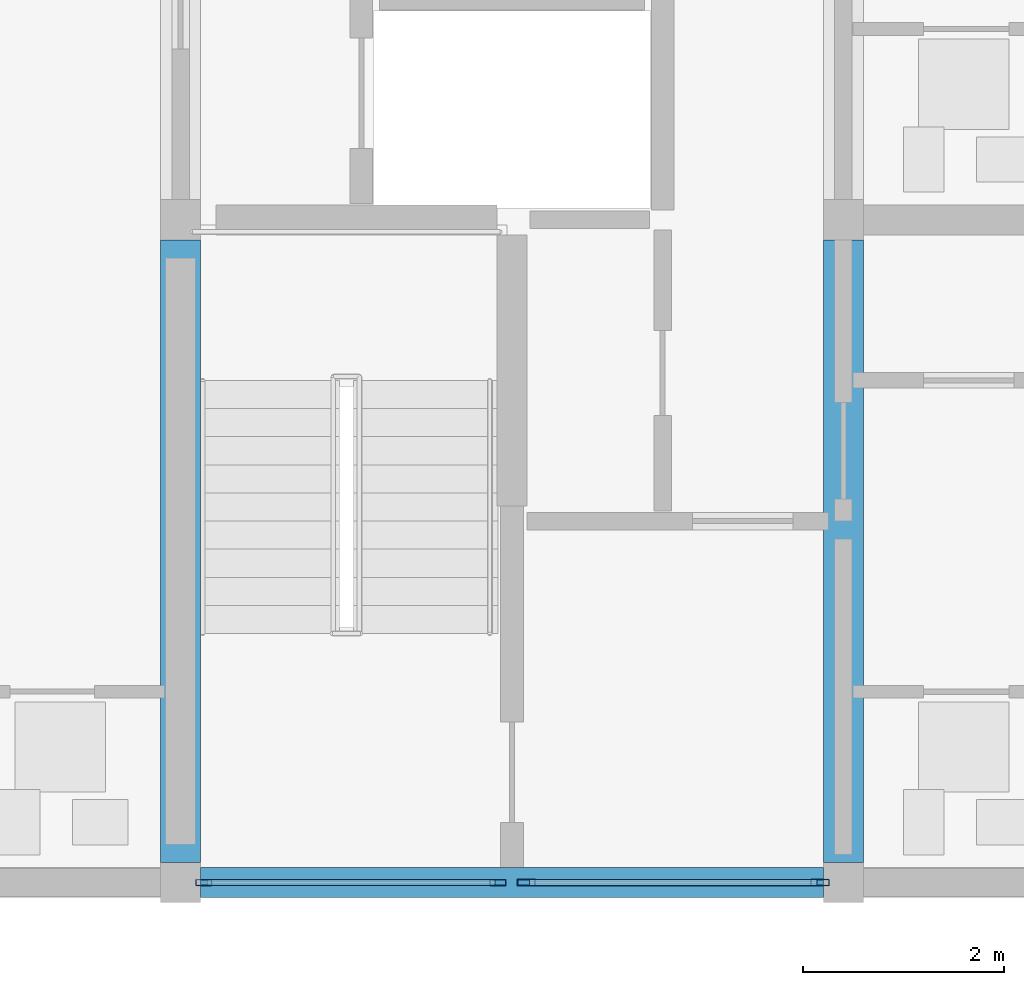
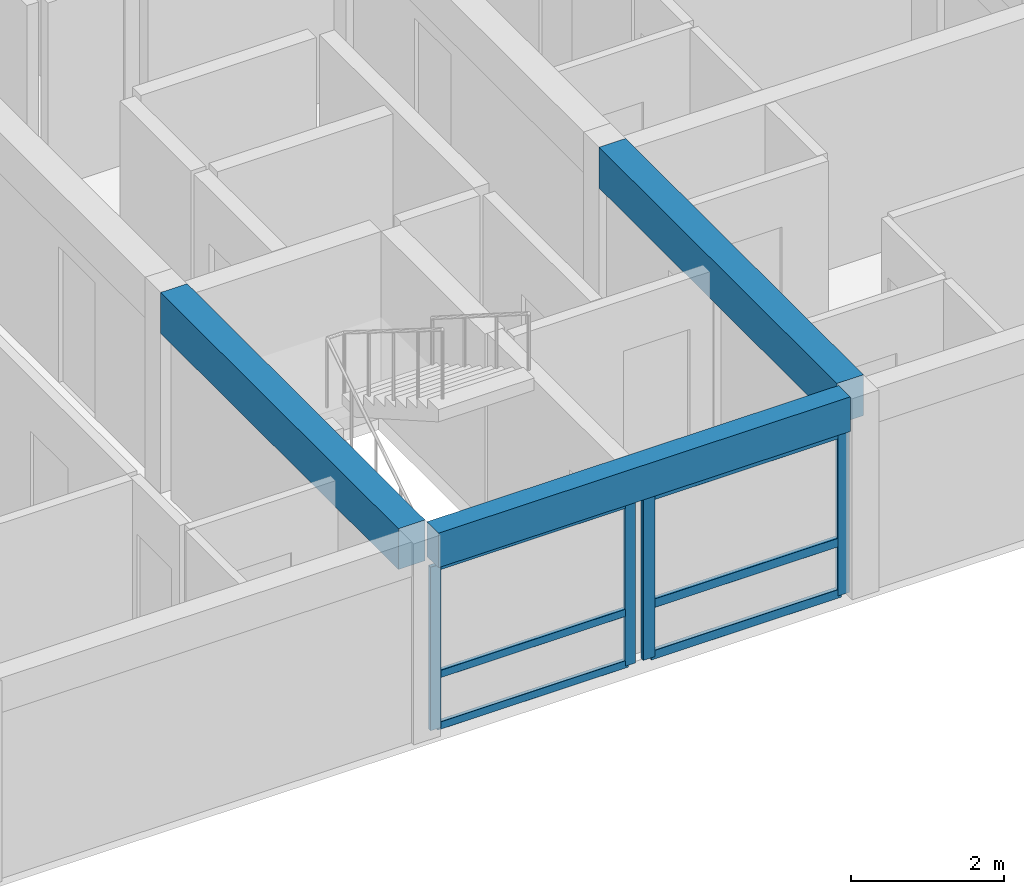
# One storey, part 11 of 49: 10 members, 3 beams, 2 elements without a shape of their own.
"""IFC4 building model written with IfcOpenShell, lengths in metres."""

from ifc_helpers import new_model, si_unit, direction, frame, origin, origin_2d, place, context, subcontext, project, spatial, rectangle, hollow_rectangle, extrude, material, material_profile, profile_set, type_object, element, aggregate, save


model = new_model("IFC4")

# Units and contexts
model_context = context("Model", 3, precision=1e-05, world=origin(), true_north=direction((0.0, 1.0)))
body_context = subcontext(model_context, "Body", "Model", "MODEL_VIEW")
ifc_project = project(units=[si_unit("LENGTHUNIT", "METRE"), si_unit("AREAUNIT", "SQUARE_METRE"), si_unit("VOLUMEUNIT", "CUBIC_METRE"), si_unit("PLANEANGLEUNIT", "RADIAN"), si_unit("MASSUNIT", "GRAM", prefix="KILO")], contexts=[model_context])

# Site, building, storey
site_placement = place(None, origin())
site = spatial("IfcSite", under=ifc_project, at=site_placement, CompositionType="ELEMENT")
building_placement = place(site_placement, origin())
building = spatial("IfcBuilding", under=site, at=building_placement, Name="Kernevlak Ridge Housing Community", CompositionType="ELEMENT")
storey_placement = place(building_placement, frame((0.0, 0.0, 30.800048828125)))
storey = spatial("IfcBuildingStorey", under=building, at=storey_placement, Name="L09", CompositionType="ELEMENT", Elevation=30.800048828125)

# Beams
ifc_material_1 = material(Name="Concrete C35/45", Category="concrete")
ifc_material_profile_1 = material_profile(ifc_material_1, rectangle(XDim=0.39990234375, YDim=0.64990234375, at=origin_2d()), Name="RC 400x650")
ifc_profile_set_1 = profile_set([ifc_material_profile_1], Name="Concrete C35/45")
beam_type_1 = type_object("IfcBeamType", Name="B-03", PredefinedType="T_BEAM", material=ifc_profile_set_1)
for number, where, z_axis, x_axis, name in (
    (1, (132.60009765625, 15.800048828125, 2.875), (0.0, 1.0, 0.0), (-1.0, 0.0, 0.0), "Beam B-03 L09 1204"),
    (2, (139.199951171875, 15.800048828125, 2.875), (0.0, 1.0, 0.0), (-1.0, 0.0, 0.0), "Beam B-03 L09 1208"),
):
    element("IfcBeam", number, at=place(storey_placement, frame(where, z_axis=z_axis, x_axis=x_axis)), inside=storey, type_object=beam_type_1, Name=name, PredefinedType="T_BEAM", context=body_context, shape_type="SweptSolid", body=[
        extrude(rectangle(XDim=0.39990234375, YDim=0.64990234375, at=origin_2d()), origin(), (0.0, 0.0, 1.0), 6.199951171875),
    ])

# Curtain wall, members
ifc_material_2 = material(Name="Aluminium EN AW-6060 anodised and laminated glass", Category="aluminium")
curtain_wall_type_1 = type_object("IfcCurtainWallType", Name="CW-07", PredefinedType="NOTDEFINED", material=ifc_material_2)
curtain_wall_1_placement = place(storey_placement, origin())
curtain_wall_1 = element("IfcCurtainWall", 3, at=curtain_wall_1_placement, inside=storey, type_object=curtain_wall_type_1, Name="Curtain wall CW-07 CW-L09-127", PredefinedType="NOTDEFINED")
ifc_material_3 = material(Name="Aluminium EN AW-6060 anodised", Category="aluminium")
ifc_material_profile_2 = material_profile(ifc_material_3, hollow_rectangle(XDim=0.06005859375, YDim=0.159912109375, WallThickness=0.00390625, InnerFilletRadius=0.001953125, OuterFilletRadius=0.00390625, at=origin_2d()), Name="ALU 60x160x4")
ifc_profile_set_2 = profile_set([ifc_material_profile_2], Name="Aluminium EN AW-6060 anodised")
member_type_1 = type_object("IfcMemberType", Name="MU-02", PredefinedType="MULLION", material=ifc_profile_set_2)
member_1_placement = place(storey_placement, frame((132.830078125, 15.60009765625, 0.0), z_axis=(0.0, 0.0, 1.0), x_axis=(0.0, 1.0, 0.0)))
member_1 = element("IfcMember", 4, at=member_1_placement, type_object=member_type_1, Name="CW-07 mullion 1", PredefinedType="MULLION", context=body_context, shape_type="SweptSolid", body=[
    extrude(hollow_rectangle(XDim=0.06005859375, YDim=0.159912109375, WallThickness=0.00390625, InnerFilletRadius=0.001953125, OuterFilletRadius=0.00390625, at=origin_2d()), origin(), (0.0, 0.0, 1.0), 2.599853515625),
])
member_2_placement = place(storey_placement, frame((135.760009765625, 15.60009765625, 0.0), z_axis=(0.0, 0.0, 1.0), x_axis=(0.0, 1.0, 0.0)))
member_2 = element("IfcMember", 5, at=member_2_placement, type_object=member_type_1, Name="CW-07 mullion 2", PredefinedType="MULLION", context=body_context, shape_type="SweptSolid", body=[
    extrude(hollow_rectangle(XDim=0.06005859375, YDim=0.159912109375, WallThickness=0.00390625, InnerFilletRadius=0.001953125, OuterFilletRadius=0.00390625, at=origin_2d()), origin(), (0.0, 0.0, 1.0), 2.599853515625),
])

curtain_wall_type_2 = type_object("IfcCurtainWallType", Name="CW-13", PredefinedType="NOTDEFINED", material=ifc_material_2)
curtain_wall_2_placement = place(storey_placement, origin())
curtain_wall_2 = element("IfcCurtainWall", 6, at=curtain_wall_2_placement, inside=storey, type_object=curtain_wall_type_2, Name="Curtain wall CW-13 CW-L09-128", PredefinedType="NOTDEFINED")
ifc_material_profile_3 = material_profile(ifc_material_3, hollow_rectangle(XDim=0.06494140625, YDim=0.179931640625, WallThickness=0.00439453125, InnerFilletRadius=0.001953125, OuterFilletRadius=0.00439453125, at=origin_2d()), Name="ALU 65x180x4.5")
ifc_profile_set_3 = profile_set([ifc_material_profile_3], Name="Aluminium EN AW-6060 anodised")
member_type_2 = type_object("IfcMemberType", Name="MU-03", PredefinedType="MULLION", material=ifc_profile_set_3)
member_3_placement = place(storey_placement, frame((136.04248046875, 15.60009765625, 0.0), z_axis=(0.0, 0.0, 1.0), x_axis=(0.0, 1.0, 0.0)))
member_3 = element("IfcMember", 7, at=member_3_placement, type_object=member_type_2, Name="CW-13 mullion 1", PredefinedType="MULLION", context=body_context, shape_type="SweptSolid", body=[
    extrude(hollow_rectangle(XDim=0.06494140625, YDim=0.179931640625, WallThickness=0.00439453125, InnerFilletRadius=0.001953125, OuterFilletRadius=0.00439453125, at=origin_2d()), origin(), (0.0, 0.0, 1.0), 2.599853515625),
])
member_4_placement = place(storey_placement, frame((138.967529296875, 15.60009765625, 0.0), z_axis=(0.0, 0.0, 1.0), x_axis=(0.0, 1.0, 0.0)))
member_4 = element("IfcMember", 8, at=member_4_placement, type_object=member_type_2, Name="CW-13 mullion 2", PredefinedType="MULLION", context=body_context, shape_type="SweptSolid", body=[
    extrude(hollow_rectangle(XDim=0.06494140625, YDim=0.179931640625, WallThickness=0.00439453125, InnerFilletRadius=0.001953125, OuterFilletRadius=0.00439453125, at=origin_2d()), origin(), (0.0, 0.0, 1.0), 2.599853515625),
])

# Beam
ifc_material_profile_4 = material_profile(ifc_material_1, rectangle(XDim=0.300048828125, YDim=0.550048828125, at=origin_2d()), Name="RC 300x550")
ifc_profile_set_4 = profile_set([ifc_material_profile_4], Name="Concrete C35/45")
beam_type_2 = type_object("IfcBeamType", Name="SP-01", PredefinedType="SPANDREL", material=ifc_profile_set_4)
beam_placement = place(storey_placement, frame((132.800048828125, 15.60009765625, 2.925048828125), z_axis=(1.0, 0.0, 0.0), x_axis=(0.0, 1.0, 0.0)))
element("IfcBeam", 9, at=beam_placement, inside=storey, type_object=beam_type_2, Name="Beam SP-01 L09 1217", PredefinedType="SPANDREL", context=body_context, shape_type="SweptSolid", body=[
    extrude(rectangle(XDim=0.300048828125, YDim=0.550048828125, at=origin_2d()), origin(), (0.0, 0.0, 1.0), 6.199951171875),
])

# Member
ifc_material_profile_5 = material_profile(ifc_material_3, hollow_rectangle(XDim=0.06005859375, YDim=0.1201171875, WallThickness=0.00390625, InnerFilletRadius=0.001953125, OuterFilletRadius=0.00390625, at=origin_2d()), Name="ALU 60x120x4")
ifc_profile_set_5 = profile_set([ifc_material_profile_5], Name="Aluminium EN AW-6060 anodised")
member_type_3 = type_object("IfcMemberType", Name="TM-02", PredefinedType="USERDEFINED", material=ifc_profile_set_5)
member_5_placement = place(storey_placement, frame((132.860107421875, 15.60009765625, 0.030029296875), z_axis=(1.0, 0.0, 0.0), x_axis=(0.0, 1.0, 0.0)))
member_5 = element("IfcMember", 10, at=member_5_placement, type_object=member_type_3, Name="CW-07 transom 1.1", ObjectType="TRANSOM", PredefinedType="USERDEFINED", context=body_context, shape_type="SweptSolid", body=[
    extrude(hollow_rectangle(XDim=0.06005859375, YDim=0.1201171875, WallThickness=0.00390625, InnerFilletRadius=0.001953125, OuterFilletRadius=0.00390625, at=origin_2d()), origin(), (0.0, 0.0, 1.0), 2.869873046875),
])

member_6_placement = place(storey_placement, frame((132.860107421875, 15.60009765625, 0.849853515625), z_axis=(1.0, 0.0, 0.0), x_axis=(0.0, 1.0, 0.0)))
member_6 = element("IfcMember", 11, at=member_6_placement, type_object=member_type_3, Name="CW-07 transom 1.2", ObjectType="TRANSOM", PredefinedType="USERDEFINED", context=body_context, shape_type="SweptSolid", body=[
    extrude(hollow_rectangle(XDim=0.06005859375, YDim=0.1201171875, WallThickness=0.00390625, InnerFilletRadius=0.001953125, OuterFilletRadius=0.00390625, at=origin_2d()), origin(), (0.0, 0.0, 1.0), 2.869873046875),
])

member_7_placement = place(storey_placement, frame((132.860107421875, 15.60009765625, 2.570068359375), z_axis=(1.0, 0.0, 0.0), x_axis=(0.0, 1.0, 0.0)))
member_7 = element("IfcMember", 12, at=member_7_placement, type_object=member_type_3, Name="CW-07 transom 1.3", ObjectType="TRANSOM", PredefinedType="USERDEFINED", context=body_context, shape_type="SweptSolid", body=[
    extrude(hollow_rectangle(XDim=0.06005859375, YDim=0.1201171875, WallThickness=0.00390625, InnerFilletRadius=0.001953125, OuterFilletRadius=0.00390625, at=origin_2d()), origin(), (0.0, 0.0, 1.0), 2.869873046875),
])

aggregate(curtain_wall_1, [member_1, member_2, member_5, member_6, member_7])

ifc_material_profile_6 = material_profile(ifc_material_3, hollow_rectangle(XDim=0.06494140625, YDim=0.139892578125, WallThickness=0.00390625, InnerFilletRadius=0.001953125, OuterFilletRadius=0.00390625, at=origin_2d()), Name="ALU 65x140x4")
ifc_profile_set_6 = profile_set([ifc_material_profile_6], Name="Aluminium EN AW-6060 anodised")
member_type_4 = type_object("IfcMemberType", Name="TM-03", PredefinedType="USERDEFINED", material=ifc_profile_set_6)
member_8_placement = place(storey_placement, frame((136.074951171875, 15.60009765625, 0.032470703125), z_axis=(1.0, 0.0, 0.0), x_axis=(0.0, 1.0, 0.0)))
member_8 = element("IfcMember", 13, at=member_8_placement, type_object=member_type_4, Name="CW-13 transom 1.1", ObjectType="TRANSOM", PredefinedType="USERDEFINED", context=body_context, shape_type="SweptSolid", body=[
    extrude(hollow_rectangle(XDim=0.06494140625, YDim=0.139892578125, WallThickness=0.00390625, InnerFilletRadius=0.001953125, OuterFilletRadius=0.00390625, at=origin_2d()), origin(), (0.0, 0.0, 1.0), 2.860107421875),
])

member_9_placement = place(storey_placement, frame((136.074951171875, 15.60009765625, 0.849853515625), z_axis=(1.0, 0.0, 0.0), x_axis=(0.0, 1.0, 0.0)))
member_9 = element("IfcMember", 14, at=member_9_placement, type_object=member_type_4, Name="CW-13 transom 1.2", ObjectType="TRANSOM", PredefinedType="USERDEFINED", context=body_context, shape_type="SweptSolid", body=[
    extrude(hollow_rectangle(XDim=0.06494140625, YDim=0.139892578125, WallThickness=0.00390625, InnerFilletRadius=0.001953125, OuterFilletRadius=0.00390625, at=origin_2d()), origin(), (0.0, 0.0, 1.0), 2.860107421875),
])

member_10_placement = place(storey_placement, frame((136.074951171875, 15.60009765625, 2.5673828125), z_axis=(1.0, 0.0, 0.0), x_axis=(0.0, 1.0, 0.0)))
member_10 = element("IfcMember", 15, at=member_10_placement, type_object=member_type_4, Name="CW-13 transom 1.3", ObjectType="TRANSOM", PredefinedType="USERDEFINED", context=body_context, shape_type="SweptSolid", body=[
    extrude(hollow_rectangle(XDim=0.06494140625, YDim=0.139892578125, WallThickness=0.00390625, InnerFilletRadius=0.001953125, OuterFilletRadius=0.00390625, at=origin_2d()), origin(), (0.0, 0.0, 1.0), 2.860107421875),
])

aggregate(curtain_wall_2, [member_3, member_4, member_8, member_9, member_10])

save(model, "model.ifc")
